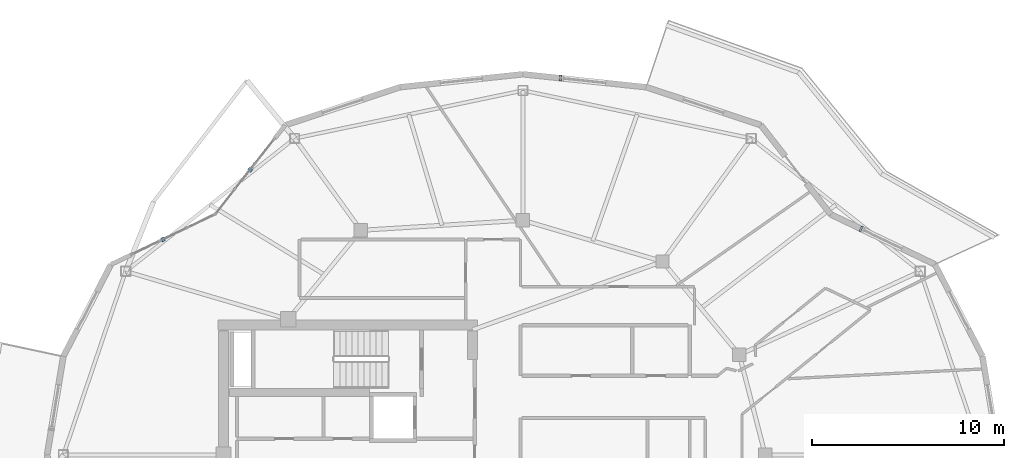
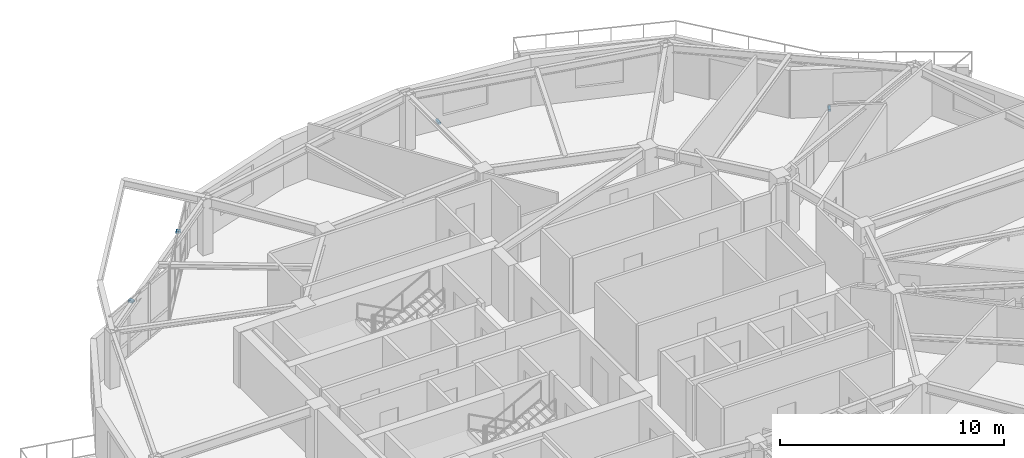
# One storey, part 13 of 16: 4 discrete accessories.
"""IFC4 building model written with IfcOpenShell, lengths in metres."""

from ifc_helpers import new_model, si_unit, direction, frame, origin, origin_2d, place, context, subcontext, project, spatial, rectangle, extrude, material, type_object, element, save


model = new_model("IFC4")

# Units and contexts
model_context = context("Model", 3, precision=1e-05, world=origin(), true_north=direction((0.0, 1.0)))
body_context = subcontext(model_context, "Body", "Model", "MODEL_VIEW")
ifc_project = project(units=[si_unit("LENGTHUNIT", "METRE"), si_unit("AREAUNIT", "SQUARE_METRE"), si_unit("VOLUMEUNIT", "CUBIC_METRE"), si_unit("PLANEANGLEUNIT", "RADIAN"), si_unit("MASSUNIT", "GRAM", prefix="KILO")], contexts=[model_context])

# Site, building, storey
site_placement = place(None, origin())
site = spatial("IfcSite", under=ifc_project, at=site_placement, CompositionType="ELEMENT")
building_placement = place(site_placement, origin())
building = spatial("IfcBuilding", under=site, at=building_placement, Name="Kolvaren Gate Tower and Convention Centre", CompositionType="ELEMENT")
storey_placement = place(building_placement, frame((0.0, 0.0, 219.5)))
storey = spatial("IfcBuildingStorey", under=building, at=storey_placement, Name="L58", CompositionType="ELEMENT", Elevation=219.5)

# Discrete accessories
ifc_material = material(Name="Anodized Architectural Aluminium Alloy 6063-T6", Category="aluminium")
discrete_accessory_type = type_object("IfcDiscreteAccessoryType", Name="ARCH-ACC-BRACKET-120", PredefinedType="BRACKET", material=ifc_material)
for number, where, z_axis, x_axis, name in (
    (1, (47.7099609375, 38.74951171875, 0.2900390625), (0.0, 0.0, 1.0), (0.90135914581, -0.433072384555, 0.0), "Ceramic Fin Wall Anchor Bracket FBK-L58-02"),
    (2, (32.0751953125, 46.594482421875, 0.2900390625), (0.0, 0.0, 1.0), (0.994498884311, -0.104747167526, 0.0), "Ceramic Fin Wall Anchor Bracket FBK-L58-05"),
):
    element("IfcDiscreteAccessory", number, at=place(storey_placement, frame(where, z_axis=z_axis, x_axis=x_axis)), inside=storey, type_object=discrete_accessory_type, Name=name, PredefinedType="BRACKET", context=body_context, shape_type="SweptSolid", body=[
        extrude(rectangle(XDim=0.1201171875, YDim=0.320068359375, at=origin_2d()), origin(), (0.0, 0.0, 1.0), 0.1201171875),
    ])
for number, where, z_axis, x_axis, name in (
    (3, (15.93359375, 41.827392578125, 2.849853515625), (0.0, 0.0, 1.0), (0.616434119112, 0.787406487651, 0.0), "Solar Screen Spandrel Anchor Bracket BK-L58-08"),
    (4, (11.404296875, 38.20361328125, 2.849853515625), (0.0, 0.0, 1.0), (0.90135914581, 0.433072384555, 0.0), "Solar Screen Spandrel Anchor Bracket BK-L58-09"),
):
    element("IfcDiscreteAccessory", number, at=place(storey_placement, frame(where, z_axis=z_axis, x_axis=x_axis)), inside=storey, type_object=discrete_accessory_type, Name=name, PredefinedType="BRACKET", context=body_context, shape_type="SweptSolid", body=[
        extrude(rectangle(XDim=0.179931640625, YDim=0.219970703125, at=origin_2d()), origin(), (0.0, 0.0, 1.0), 0.1201171875),
    ])

save(model, "model.ifc")
